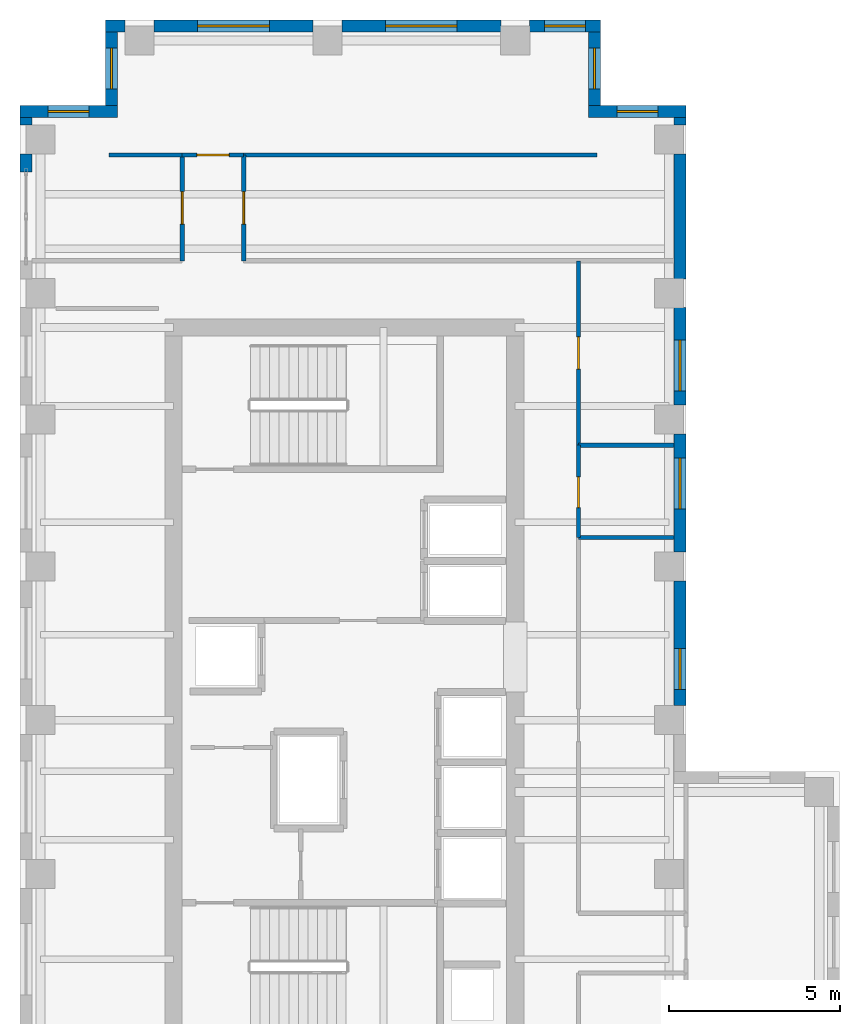
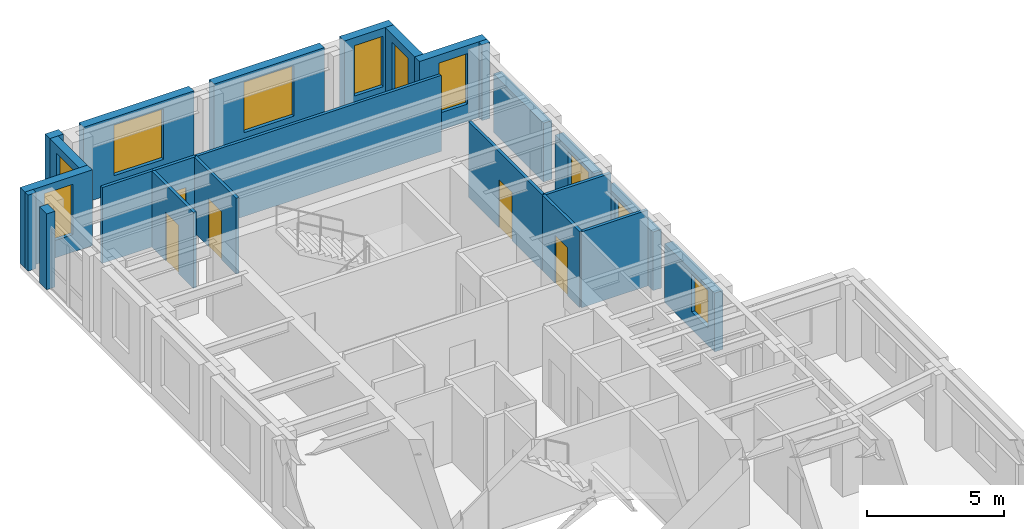
# One storey, part 8 of 10: 24 walls, 10 windows, 5 doors, 15 openings.
"""IFC4 building model written with IfcOpenShell, lengths in metres."""

from ifc_helpers import new_model, si_unit, direction, frame, frame_2d, origin, place, context, subcontext, project, spatial, rectangle, extrude, source, transform, mapped, material, layer, layer_set, type_object, element, fill, save


model = new_model("IFC4")

# Units and contexts
model_context = context("Model", 3, precision=1e-05, world=origin(), true_north=direction((0.0, 1.0)))
body_context = subcontext(model_context, "Body", "Model", "MODEL_VIEW")
ifc_project = project(units=[si_unit("LENGTHUNIT", "METRE"), si_unit("AREAUNIT", "SQUARE_METRE"), si_unit("VOLUMEUNIT", "CUBIC_METRE"), si_unit("PLANEANGLEUNIT", "RADIAN"), si_unit("MASSUNIT", "GRAM", prefix="KILO")], contexts=[model_context])

# Site, building, storey
site_placement = place(None, origin())
site = spatial("IfcSite", under=ifc_project, at=site_placement, CompositionType="ELEMENT")
building_placement = place(site_placement, origin())
building = spatial("IfcBuilding", under=site, at=building_placement, Name="Kharzan Plaza Tower", CompositionType="ELEMENT")
storey_placement = place(building_placement, frame((0.0, 0.0, 270.0)))
storey = spatial("IfcBuildingStorey", under=building, at=storey_placement, Name="L73", CompositionType="ELEMENT", Elevation=270.0)

# Wall, opening, window
ifc_material_1 = material(Name="Concrete C40/50", Category="concrete")
ifc_layer_1 = layer(ifc_material_1, 0.35009765625)
ifc_layer_set_1 = layer_set([ifc_layer_1], Name="Concrete C40/50")
wall_type_1 = type_object("IfcWallType", Name="WL-EXT-MAS-Z4", PredefinedType="SOLIDWALL", material=ifc_layer_set_1)
wall_1_placement = place(storey_placement, frame((16.824951171875, 35.998046875, 0.0), z_axis=(0.0, 0.0, 1.0), x_axis=(0.0, 1.0, 0.0)))
wall_1 = element("IfcWall", 1, at=wall_1_placement, inside=storey, type_object=wall_type_1, Name="L73 Masonry-Frame Exterior Wall 01", PredefinedType="SOLIDWALL", context=body_context, shape_type="SweptSolid", body=[
    extrude(rectangle(XDim=2.154052734375, YDim=0.35009765625, at=frame_2d((1.0771484375, 0.0))), origin(), (0.0, 0.0, 1.0), 3.385009765625),
])
opening_1_placement = place(wall_1_placement, frame((0.47705078125, 0.0, 0.780029296875)))
opening_1 = element("IfcOpeningElement", 2, at=opening_1_placement, cuts=wall_1, Name="Opening W3", PredefinedType="OPENING", context=body_context, shape_type="SweptSolid", body=[
    extrude(rectangle(XDim=1.199951171875, YDim=2.25, at=frame_2d((0.60009765625, 1.125))), frame((0.0, 0.18505859375, 0.0), z_axis=(0.0, -1.0, 0.0), x_axis=(1.0, 0.0, 0.0)), (0.0, 0.0, 1.0), 0.3701171875),
])
ifc_material_2 = material(Name="Low-E Double Glazing", Category="glass")
window_type_1 = type_object("IfcWindowType", Name="WN-REC-1200x2100", PartitioningType="SINGLE_PANEL", PredefinedType="WINDOW", material=ifc_material_2)
shared_shape_1 = source(origin(), body_context, "Body", "SweptSolid", [
    extrude(rectangle(XDim=1.199951171875, YDim=2.25, at=frame_2d((0.60009765625, 1.125))), frame((0.0, 0.030029296875, 0.0), z_axis=(0.0, -1.0, 0.0), x_axis=(1.0, 0.0, 0.0)), (0.0, 0.0, 1.0), 0.06005859375),
])
window_1_placement = place(opening_1_placement, origin())
window_1 = element("IfcWindow", 3, at=window_1_placement, inside=storey, type_object=window_type_1, Name="L73 Recessed Solar-Control Window 01-1", OverallHeight=2.25, OverallWidth=1.199951171875, PartitioningType="SINGLE_PANEL", PredefinedType="WINDOW", context=body_context, shape_type="MappedRepresentation", body=[
    mapped(shared_shape_1, transform((0.0, 0.0, 0.0), x_axis=(1.0, 0.0, 0.0), y_axis=(0.0, 1.0, 0.0), z_axis=(0.0, 0.0, 1.0))),
])
fill(opening_1, window_1)

wall_2_placement = place(storey_placement, frame((17.0, 38.324951171875, 0.0), z_axis=(0.0, 0.0, 1.0), x_axis=(-1.0, 0.0, 0.0)))
wall_2 = element("IfcWall", 4, at=wall_2_placement, inside=storey, type_object=wall_type_1, Name="L73 Masonry-Frame Exterior Wall 02", PredefinedType="SOLIDWALL", context=body_context, shape_type="SweptSolid", body=[
    extrude(rectangle(XDim=2.076904296875, YDim=0.35009765625, at=frame_2d((1.03857421875, 0.0))), origin(), (0.0, 0.0, 1.0), 3.385009765625),
])
opening_2_placement = place(wall_2_placement, frame((0.4384765625, 0.0, 0.780029296875)))
opening_2 = element("IfcOpeningElement", 5, at=opening_2_placement, cuts=wall_2, Name="Opening W3", PredefinedType="OPENING", context=body_context, shape_type="SweptSolid", body=[
    extrude(rectangle(XDim=1.199951171875, YDim=2.25, at=frame_2d((0.60009765625, 1.125))), frame((0.0, 0.18505859375, 0.0), z_axis=(0.0, -1.0, 0.0), x_axis=(1.0, 0.0, 0.0)), (0.0, 0.0, 1.0), 0.3701171875),
])
window_2_placement = place(opening_2_placement, origin())
window_2 = element("IfcWindow", 6, at=window_2_placement, inside=storey, type_object=window_type_1, Name="L73 Recessed Solar-Control Window 02-1", OverallHeight=2.25, OverallWidth=1.199951171875, PartitioningType="SINGLE_PANEL", PredefinedType="WINDOW", context=body_context, shape_type="MappedRepresentation", body=[
    mapped(shared_shape_1, transform((0.0, 0.0, 0.0), x_axis=(1.0, 0.0, 0.0), y_axis=(0.0, 1.0, 0.0), z_axis=(0.0, 0.0, 1.0))),
])
fill(opening_2, window_2)

wall_3_placement = place(storey_placement, frame((14.076904296875, 38.324951171875, 0.0), z_axis=(0.0, 0.0, 1.0), x_axis=(-1.0, 0.0, 0.0)))
wall_3 = element("IfcWall", 7, at=wall_3_placement, inside=storey, type_object=wall_type_1, Name="L73 Masonry-Frame Exterior Wall 03", PredefinedType="SOLIDWALL", context=body_context, shape_type="SweptSolid", body=[
    extrude(rectangle(XDim=4.65380859375, YDim=0.35009765625, at=frame_2d((2.326904296875, 0.0))), origin(), (0.0, 0.0, 1.0), 3.385009765625),
])
opening_3_placement = place(wall_3_placement, frame((1.277099609375, 0.0, 0.780029296875)))
opening_3 = element("IfcOpeningElement", 8, at=opening_3_placement, cuts=wall_3, Name="Opening W6", PredefinedType="OPENING", context=body_context, shape_type="SweptSolid", body=[
    extrude(rectangle(XDim=2.10009765625, YDim=2.25, at=frame_2d((1.050048828125, 1.125))), frame((0.0, 0.18505859375, 0.0), z_axis=(0.0, -1.0, 0.0), x_axis=(1.0, 0.0, 0.0)), (0.0, 0.0, 1.0), 0.3701171875),
])
window_type_2 = type_object("IfcWindowType", Name="WN-EXEC-2100x2250", PartitioningType="SINGLE_PANEL", PredefinedType="WINDOW", material=ifc_material_2)
shared_shape_2 = source(origin(), body_context, "Body", "SweptSolid", [
    extrude(rectangle(XDim=2.10009765625, YDim=2.25, at=frame_2d((1.050048828125, 1.125))), frame((0.0, 0.030029296875, 0.0), z_axis=(0.0, -1.0, 0.0), x_axis=(1.0, 0.0, 0.0)), (0.0, 0.0, 1.0), 0.06005859375),
])
window_3_placement = place(opening_3_placement, origin())
window_3 = element("IfcWindow", 9, at=window_3_placement, inside=storey, type_object=window_type_2, Name="L73 Recessed Solar-Control Window 03-1", OverallHeight=2.25, OverallWidth=2.10009765625, PartitioningType="SINGLE_PANEL", PredefinedType="WINDOW", context=body_context, shape_type="MappedRepresentation", body=[
    mapped(shared_shape_2, transform((0.0, 0.0, 0.0), x_axis=(1.0, 0.0, 0.0), y_axis=(0.0, 1.0, 0.0), z_axis=(0.0, 0.0, 1.0))),
])
fill(opening_3, window_3)

wall_4_placement = place(storey_placement, frame((8.576904296875, 38.324951171875, 0.0), z_axis=(0.0, 0.0, 1.0), x_axis=(-1.0, 0.0, 0.0)))
wall_4 = element("IfcWall", 10, at=wall_4_placement, inside=storey, type_object=wall_type_1, Name="L73 Masonry-Frame Exterior Wall 04", PredefinedType="SOLIDWALL", context=body_context, shape_type="SweptSolid", body=[
    extrude(rectangle(XDim=4.65380859375, YDim=0.35009765625, at=frame_2d((2.326904296875, 0.0))), origin(), (0.0, 0.0, 1.0), 3.385009765625),
])
opening_4_placement = place(wall_4_placement, frame((1.277099609375, 0.0, 0.780029296875)))
opening_4 = element("IfcOpeningElement", 11, at=opening_4_placement, cuts=wall_4, Name="Opening W6", PredefinedType="OPENING", context=body_context, shape_type="SweptSolid", body=[
    extrude(rectangle(XDim=2.10009765625, YDim=2.25, at=frame_2d((1.050048828125, 1.125))), frame((0.0, 0.18505859375, 0.0), z_axis=(0.0, -1.0, 0.0), x_axis=(1.0, 0.0, 0.0)), (0.0, 0.0, 1.0), 0.3701171875),
])
window_4_placement = place(opening_4_placement, origin())
window_4 = element("IfcWindow", 12, at=window_4_placement, inside=storey, type_object=window_type_2, Name="L73 Recessed Solar-Control Window 04-1", OverallHeight=2.25, OverallWidth=2.10009765625, PartitioningType="SINGLE_PANEL", PredefinedType="WINDOW", context=body_context, shape_type="MappedRepresentation", body=[
    mapped(shared_shape_2, transform((0.0, 0.0, 0.0), x_axis=(1.0, 0.0, 0.0), y_axis=(0.0, 1.0, 0.0), z_axis=(0.0, 0.0, 1.0))),
])
fill(opening_4, window_4)

wall_5_placement = place(storey_placement, frame((2.675048828125, 38.152099609375, 0.0), z_axis=(0.0, 0.0, 1.0), x_axis=(0.0, -1.0, 0.0)))
wall_5 = element("IfcWall", 13, at=wall_5_placement, inside=storey, type_object=wall_type_1, Name="L73 Masonry-Frame Exterior Wall 06", PredefinedType="SOLIDWALL", context=body_context, shape_type="SweptSolid", body=[
    extrude(rectangle(XDim=2.154052734375, YDim=0.35009765625, at=frame_2d((1.0771484375, 0.0))), origin(), (0.0, 0.0, 1.0), 3.385009765625),
])
opening_5_placement = place(wall_5_placement, frame((0.47705078125, 0.0, 0.780029296875)))
opening_5 = element("IfcOpeningElement", 14, at=opening_5_placement, cuts=wall_5, Name="Opening W3", PredefinedType="OPENING", context=body_context, shape_type="SweptSolid", body=[
    extrude(rectangle(XDim=1.199951171875, YDim=2.25, at=frame_2d((0.60009765625, 1.125))), frame((0.0, 0.18505859375, 0.0), z_axis=(0.0, -1.0, 0.0), x_axis=(1.0, 0.0, 0.0)), (0.0, 0.0, 1.0), 0.3701171875),
])
window_5_placement = place(opening_5_placement, origin())
window_5 = element("IfcWindow", 15, at=window_5_placement, inside=storey, type_object=window_type_1, Name="L73 Recessed Solar-Control Window 06-1", OverallHeight=2.25, OverallWidth=1.199951171875, PartitioningType="SINGLE_PANEL", PredefinedType="WINDOW", context=body_context, shape_type="MappedRepresentation", body=[
    mapped(shared_shape_1, transform((0.0, 0.0, 0.0), x_axis=(1.0, 0.0, 0.0), y_axis=(0.0, 1.0, 0.0), z_axis=(0.0, 0.0, 1.0))),
])
fill(opening_5, window_5)

wall_6_placement = place(storey_placement, frame((2.85009765625, 35.824951171875, 0.0), z_axis=(0.0, 0.0, 1.0), x_axis=(-1.0, 0.0, 0.0)))
wall_6 = element("IfcWall", 16, at=wall_6_placement, inside=storey, type_object=wall_type_1, Name="L73 Masonry-Frame Exterior Wall 07", PredefinedType="SOLIDWALL", context=body_context, shape_type="SweptSolid", body=[
    extrude(rectangle(XDim=2.85009765625, YDim=0.35009765625, at=frame_2d((1.425048828125, 0.0))), origin(), (0.0, 0.0, 1.0), 3.385009765625),
])
opening_6_placement = place(wall_6_placement, frame((0.824951171875, 0.0, 0.780029296875)))
opening_6 = element("IfcOpeningElement", 17, at=opening_6_placement, cuts=wall_6, Name="Opening W3", PredefinedType="OPENING", context=body_context, shape_type="SweptSolid", body=[
    extrude(rectangle(XDim=1.199951171875, YDim=2.25, at=frame_2d((0.60009765625, 1.125))), frame((0.0, 0.18505859375, 0.0), z_axis=(0.0, -1.0, 0.0), x_axis=(1.0, 0.0, 0.0)), (0.0, 0.0, 1.0), 0.3701171875),
])
window_6_placement = place(opening_6_placement, origin())
window_6 = element("IfcWindow", 18, at=window_6_placement, inside=storey, type_object=window_type_1, Name="L73 Recessed Solar-Control Window 07-1", OverallHeight=2.25, OverallWidth=1.199951171875, PartitioningType="SINGLE_PANEL", PredefinedType="WINDOW", context=body_context, shape_type="MappedRepresentation", body=[
    mapped(shared_shape_1, transform((0.0, 0.0, 0.0), x_axis=(1.0, 0.0, 0.0), y_axis=(0.0, 1.0, 0.0), z_axis=(0.0, 0.0, 1.0))),
])
fill(opening_6, window_6)

wall_7_placement = place(storey_placement, frame((19.324951171875, 18.423095703125, 0.0), z_axis=(0.0, 0.0, 1.0), x_axis=(0.0, 1.0, 0.0)))
wall_7 = element("IfcWall", 19, at=wall_7_placement, inside=storey, type_object=wall_type_1, Name="L73 Masonry-Frame Exterior Wall 29", PredefinedType="SOLIDWALL", context=body_context, shape_type="SweptSolid", body=[
    extrude(rectangle(XDim=3.65380859375, YDim=0.35009765625, at=frame_2d((1.826904296875, 0.0))), origin(), (0.0, 0.0, 1.0), 2.618896484375),
])
opening_7_placement = place(wall_7_placement, frame((0.469970703125, 0.0, 0.780029296875)))
opening_7 = element("IfcOpeningElement", 20, at=opening_7_placement, cuts=wall_7, Name="Opening W3", PredefinedType="OPENING", context=body_context, shape_type="SweptSolid", body=[
    extrude(rectangle(XDim=1.199951171875, YDim=1.658935546875, at=frame_2d((0.60009765625, 0.82958984375))), frame((0.0, 0.18505859375, 0.0), z_axis=(0.0, -1.0, 0.0), x_axis=(1.0, 0.0, 0.0)), (0.0, 0.0, 1.0), 0.3701171875),
])
shared_shape_3 = source(origin(), body_context, "Body", "SweptSolid", [
    extrude(rectangle(XDim=1.199951171875, YDim=1.658935546875, at=frame_2d((0.60009765625, 0.82958984375))), frame((0.0, 0.030029296875, 0.0), z_axis=(0.0, -1.0, 0.0), x_axis=(1.0, 0.0, 0.0)), (0.0, 0.0, 1.0), 0.06005859375),
])
window_7_placement = place(opening_7_placement, origin())
window_7 = element("IfcWindow", 21, at=window_7_placement, inside=storey, type_object=window_type_1, Name="L73 Recessed Solar-Control Window 29-1", OverallHeight=1.658935546875, OverallWidth=1.199951171875, PartitioningType="SINGLE_PANEL", PredefinedType="WINDOW", context=body_context, shape_type="MappedRepresentation", body=[
    mapped(shared_shape_3, transform((0.0, 0.0, 0.0), x_axis=(1.0, 0.0, 0.0), y_axis=(0.0, 1.0, 0.0), z_axis=(0.0, 0.0, 1.0))),
])
fill(opening_7, window_7)

wall_8_placement = place(storey_placement, frame((19.324951171875, 22.923095703125, 0.0), z_axis=(0.0, 0.0, 1.0), x_axis=(0.0, 1.0, 0.0)))
wall_8 = element("IfcWall", 22, at=wall_8_placement, inside=storey, type_object=wall_type_1, Name="L73 Masonry-Frame Exterior Wall 30", PredefinedType="SOLIDWALL", context=body_context, shape_type="SweptSolid", body=[
    extrude(rectangle(XDim=3.453857421875, YDim=0.35009765625, at=frame_2d((1.72705078125, 0.0))), origin(), (0.0, 0.0, 1.0), 2.618896484375),
])
opening_8_placement = place(wall_8_placement, frame((1.255615234375, 0.0, 0.780029296875)))
opening_8 = element("IfcOpeningElement", 23, at=opening_8_placement, cuts=wall_8, Name="Opening W5", PredefinedType="OPENING", context=body_context, shape_type="SweptSolid", body=[
    extrude(rectangle(XDim=1.5, YDim=1.658935546875, at=frame_2d((0.75, 0.82958984375))), frame((0.0, 0.18505859375, 0.0), z_axis=(0.0, -1.0, 0.0), x_axis=(1.0, 0.0, 0.0)), (0.0, 0.0, 1.0), 0.3701171875),
])
window_type_3 = type_object("IfcWindowType", Name="WN-SLT-1500x2000", PartitioningType="SINGLE_PANEL", PredefinedType="WINDOW", material=ifc_material_2)
shared_shape_4 = source(origin(), body_context, "Body", "SweptSolid", [
    extrude(rectangle(XDim=1.5, YDim=1.658935546875, at=frame_2d((0.75, 0.82958984375))), frame((0.0, 0.030029296875, 0.0), z_axis=(0.0, -1.0, 0.0), x_axis=(1.0, 0.0, 0.0)), (0.0, 0.0, 1.0), 0.06005859375),
])
window_8_placement = place(opening_8_placement, origin())
window_8 = element("IfcWindow", 24, at=window_8_placement, inside=storey, type_object=window_type_3, Name="L73 Recessed Solar-Control Window 30-1", OverallHeight=1.658935546875, OverallWidth=1.5, PartitioningType="SINGLE_PANEL", PredefinedType="WINDOW", context=body_context, shape_type="MappedRepresentation", body=[
    mapped(shared_shape_4, transform((0.0, 0.0, 0.0), x_axis=(1.0, 0.0, 0.0), y_axis=(0.0, 1.0, 0.0), z_axis=(0.0, 0.0, 1.0))),
])
fill(opening_8, window_8)

wall_9_placement = place(storey_placement, frame((19.324951171875, 27.222900390625, 0.0), z_axis=(0.0, 0.0, 1.0), x_axis=(0.0, 1.0, 0.0)))
wall_9 = element("IfcWall", 25, at=wall_9_placement, inside=storey, type_object=wall_type_1, Name="L73 Masonry-Frame Exterior Wall 31", PredefinedType="SOLIDWALL", context=body_context, shape_type="SweptSolid", body=[
    extrude(rectangle(XDim=2.85400390625, YDim=0.35009765625, at=frame_2d((1.427001953125, 0.0))), origin(), (0.0, 0.0, 1.0), 2.618896484375),
])
opening_9_placement = place(wall_9_placement, frame((0.411376953125, 0.0, 0.780029296875)))
opening_9 = element("IfcOpeningElement", 26, at=opening_9_placement, cuts=wall_9, Name="Opening W5", PredefinedType="OPENING", context=body_context, shape_type="SweptSolid", body=[
    extrude(rectangle(XDim=1.5, YDim=1.658935546875, at=frame_2d((0.75, 0.82958984375))), frame((0.0, 0.18505859375, 0.0), z_axis=(0.0, -1.0, 0.0), x_axis=(1.0, 0.0, 0.0)), (0.0, 0.0, 1.0), 0.3701171875),
])
window_9_placement = place(opening_9_placement, origin())
window_9 = element("IfcWindow", 27, at=window_9_placement, inside=storey, type_object=window_type_3, Name="L73 Recessed Solar-Control Window 31-1", OverallHeight=1.658935546875, OverallWidth=1.5, PartitioningType="SINGLE_PANEL", PredefinedType="WINDOW", context=body_context, shape_type="MappedRepresentation", body=[
    mapped(shared_shape_4, transform((0.0, 0.0, 0.0), x_axis=(1.0, 0.0, 0.0), y_axis=(0.0, 1.0, 0.0), z_axis=(0.0, 0.0, 1.0))),
])
fill(opening_9, window_9)

wall_10_placement = place(storey_placement, frame((19.5, 35.824951171875, 0.0), z_axis=(0.0, 0.0, 1.0), x_axis=(-1.0, 0.0, 0.0)))
wall_10 = element("IfcWall", 28, at=wall_10_placement, inside=storey, type_object=wall_type_1, Name="L73 Masonry-Frame Exterior Wall 34", PredefinedType="SOLIDWALL", context=body_context, shape_type="SweptSolid", body=[
    extrude(rectangle(XDim=2.85009765625, YDim=0.35009765625, at=frame_2d((1.425048828125, 0.0))), origin(), (0.0, 0.0, 1.0), 3.385009765625),
])
opening_10_placement = place(wall_10_placement, frame((0.824951171875, 0.0, 0.780029296875)))
opening_10 = element("IfcOpeningElement", 29, at=opening_10_placement, cuts=wall_10, Name="Opening W3", PredefinedType="OPENING", context=body_context, shape_type="SweptSolid", body=[
    extrude(rectangle(XDim=1.199951171875, YDim=2.25, at=frame_2d((0.60009765625, 1.125))), frame((0.0, 0.18505859375, 0.0), z_axis=(0.0, -1.0, 0.0), x_axis=(1.0, 0.0, 0.0)), (0.0, 0.0, 1.0), 0.3701171875),
])
window_10_placement = place(opening_10_placement, origin())
window_10 = element("IfcWindow", 30, at=window_10_placement, inside=storey, type_object=window_type_1, Name="L73 Recessed Solar-Control Window 34-1", OverallHeight=2.25, OverallWidth=1.199951171875, PartitioningType="SINGLE_PANEL", PredefinedType="WINDOW", context=body_context, shape_type="MappedRepresentation", body=[
    mapped(shared_shape_1, transform((0.0, 0.0, 0.0), x_axis=(1.0, 0.0, 0.0), y_axis=(0.0, 1.0, 0.0), z_axis=(0.0, 0.0, 1.0))),
])
fill(opening_10, window_10)

# Wall, opening, door
ifc_material_3 = material(Name="Fire-Rated Gypsum Board Partition", Category="gypsum")
ifc_layer_2 = layer(ifc_material_3, 0.125)
ifc_layer_set_2 = layer_set([ifc_layer_2], Name="Fire-Rated Gypsum Board Partition")
wall_type_2 = type_object("IfcWallType", Name="WL-INT-PART-125", PredefinedType="PARTITIONING", material=ifc_layer_set_2)
wall_11_placement = place(storey_placement, frame((16.35009765625, 26.050048828125, 0.0), z_axis=(0.0, 0.0, 1.0), x_axis=(0.0, 1.0, 0.0)))
wall_11 = element("IfcWall", 31, at=wall_11_placement, inside=storey, type_object=wall_type_2, Name="L73 Interior Partition SH-AEW3", PredefinedType="PARTITIONING", context=body_context, shape_type="SweptSolid", body=[
    extrude(rectangle(XDim=5.39990234375, YDim=0.125, at=frame_2d((2.699951171875, 0.0))), origin(), (0.0, 0.0, 1.0), 3.385009765625),
])
opening_11_placement = place(wall_11_placement, frame((2.22509765625, 0.0, 0.0)))
opening_11 = element("IfcOpeningElement", 32, at=opening_11_placement, cuts=wall_11, Name="Opening OD1", PredefinedType="OPENING", context=body_context, shape_type="SweptSolid", body=[
    extrude(rectangle(XDim=0.949951171875, YDim=2.14990234375, at=frame_2d((0.47509765625, 1.074951171875))), frame((0.0, 0.072509765625, 0.0), z_axis=(0.0, -1.0, 0.0), x_axis=(1.0, 0.0, 0.0)), (0.0, 0.0, 1.0), 0.14501953125),
])
ifc_material_4 = material(Name="Acoustic Solid-Core Stained Oak", Category="timber")
door_type_1 = type_object("IfcDoorType", Name="DR-OFF-SINGLE", OperationType="NOTDEFINED", PredefinedType="DOOR", material=ifc_material_4)
shared_shape_5 = source(origin(), body_context, "Body", "SweptSolid", [
    extrude(rectangle(XDim=0.949951171875, YDim=2.14990234375, at=frame_2d((0.47509765625, 1.074951171875))), frame((0.0, 0.02490234375, 0.0), z_axis=(0.0, -1.0, 0.0), x_axis=(1.0, 0.0, 0.0)), (0.0, 0.0, 1.0), 0.050048828125),
])
door_1_placement = place(opening_11_placement, origin())
door_1 = element("IfcDoor", 33, at=door_1_placement, inside=storey, type_object=door_type_1, Name="L73 Tea Pantry Door", OperationType="SINGLE_SWING_RIGHT", OverallHeight=2.14990234375, OverallWidth=0.949951171875, PredefinedType="DOOR", context=body_context, shape_type="MappedRepresentation", body=[
    mapped(shared_shape_5, transform((0.0, 0.0, 0.0), x_axis=(1.0, 0.0, 0.0), y_axis=(0.0, 1.0, 0.0), z_axis=(0.0, 0.0, 1.0))),
])
fill(opening_11, door_1)

wall_12_placement = place(storey_placement, frame((16.35009765625, 23.35009765625, 0.0), z_axis=(0.0, 0.0, 1.0), x_axis=(0.0, 1.0, 0.0)))
wall_12 = element("IfcWall", 34, at=wall_12_placement, inside=storey, type_object=wall_type_2, Name="L73 Interior Partition SH-AEWW", PredefinedType="PARTITIONING", context=body_context, shape_type="SweptSolid", body=[
    extrude(rectangle(XDim=2.699951171875, YDim=0.125, at=frame_2d((1.35009765625, 0.0))), origin(), (0.0, 0.0, 1.0), 3.385009765625),
])
opening_12_placement = place(wall_12_placement, frame((0.875, 0.0, 0.0)))
opening_12 = element("IfcOpeningElement", 35, at=opening_12_placement, cuts=wall_12, Name="Opening WD1", PredefinedType="OPENING", context=body_context, shape_type="SweptSolid", body=[
    extrude(rectangle(XDim=0.89990234375, YDim=2.14990234375, at=frame_2d((0.449951171875, 1.074951171875))), frame((0.0, 0.072509765625, 0.0), z_axis=(0.0, -1.0, 0.0), x_axis=(1.0, 0.0, 0.0)), (0.0, 0.0, 1.0), 0.14501953125),
])
ifc_material_5 = material(Name="Moisture-Resistant Fire-Rated Laminate", Category="timber")
door_type_2 = type_object("IfcDoorType", Name="DR-WC-900", OperationType="NOTDEFINED", PredefinedType="DOOR", material=ifc_material_5)
shared_shape_6 = source(origin(), body_context, "Body", "SweptSolid", [
    extrude(rectangle(XDim=0.89990234375, YDim=2.14990234375, at=frame_2d((0.449951171875, 1.074951171875))), frame((0.0, 0.02490234375, 0.0), z_axis=(0.0, -1.0, 0.0), x_axis=(1.0, 0.0, 0.0)), (0.0, 0.0, 1.0), 0.050048828125),
])
door_2_placement = place(opening_12_placement, origin())
door_2 = element("IfcDoor", 36, at=door_2_placement, inside=storey, type_object=door_type_2, Name="L73 Washroom Door", OperationType="SINGLE_SWING_LEFT", OverallHeight=2.14990234375, OverallWidth=0.89990234375, PredefinedType="DOOR", context=body_context, shape_type="MappedRepresentation", body=[
    mapped(shared_shape_6, transform((0.0, 0.0, 0.0), x_axis=(1.0, 0.0, 0.0), y_axis=(0.0, 1.0, 0.0), z_axis=(0.0, 0.0, 1.0))),
])
fill(opening_12, door_2)

wall_13_placement = place(storey_placement, frame((6.550048828125, 31.449951171875, 0.0), z_axis=(0.0, 0.0, 1.0), x_axis=(0.0, 1.0, 0.0)))
wall_13 = element("IfcWall", 37, at=wall_13_placement, inside=storey, type_object=wall_type_2, Name="L73 Interior Partition SH-SPE-1", PredefinedType="PARTITIONING", context=body_context, shape_type="SweptSolid", body=[
    extrude(rectangle(XDim=3.10009765625, YDim=0.125, at=frame_2d((1.550048828125, 0.0))), origin(), (0.0, 0.0, 1.0), 3.385009765625),
])
opening_13_placement = place(wall_13_placement, frame((1.074951171875, 0.0, 0.0)))
opening_13 = element("IfcOpeningElement", 38, at=opening_13_placement, cuts=wall_13, Name="Opening OD1", PredefinedType="OPENING", context=body_context, shape_type="SweptSolid", body=[
    extrude(rectangle(XDim=0.949951171875, YDim=2.14990234375, at=frame_2d((0.47509765625, 1.074951171875))), frame((0.0, 0.072509765625, 0.0), z_axis=(0.0, -1.0, 0.0), x_axis=(1.0, 0.0, 0.0)), (0.0, 0.0, 1.0), 0.14501953125),
])
door_3_placement = place(opening_13_placement, origin())
door_3 = element("IfcDoor", 39, at=door_3_placement, inside=storey, type_object=door_type_1, Name="L73 Client Advisory Meeting Room Door", OperationType="SINGLE_SWING_RIGHT", OverallHeight=2.14990234375, OverallWidth=0.949951171875, PredefinedType="DOOR", context=body_context, shape_type="MappedRepresentation", body=[
    mapped(shared_shape_5, transform((0.0, 0.0, 0.0), x_axis=(1.0, 0.0, 0.0), y_axis=(0.0, 1.0, 0.0), z_axis=(0.0, 0.0, 1.0))),
])
fill(opening_13, door_3)

wall_14_placement = place(storey_placement, frame((4.75, 34.550048828125, 0.0), z_axis=(0.0, 0.0, 1.0), x_axis=(1.0, 0.0, 0.0)))
wall_14 = element("IfcWall", 40, at=wall_14_placement, inside=storey, type_object=wall_type_2, Name="L73 Interior Partition SH-SPHD", PredefinedType="PARTITIONING", context=body_context, shape_type="SweptSolid", body=[
    extrude(rectangle(XDim=1.800048828125, YDim=0.125, at=frame_2d((0.89990234375, 0.0))), origin(), (0.0, 0.0, 1.0), 3.385009765625),
])
opening_14_placement = place(wall_14_placement, frame((0.425048828125, 0.0, 0.0)))
opening_14 = element("IfcOpeningElement", 41, at=opening_14_placement, cuts=wall_14, Name="Opening OD1", PredefinedType="OPENING", context=body_context, shape_type="SweptSolid", body=[
    extrude(rectangle(XDim=0.949951171875, YDim=2.14990234375, at=frame_2d((0.47509765625, 1.074951171875))), frame((0.0, 0.072509765625, 0.0), z_axis=(0.0, -1.0, 0.0), x_axis=(1.0, 0.0, 0.0)), (0.0, 0.0, 1.0), 0.14501953125),
])
door_4_placement = place(opening_14_placement, origin())
door_4 = element("IfcDoor", 42, at=door_4_placement, inside=storey, type_object=door_type_1, Name="L73 North Boardroom Door", OperationType="SINGLE_SWING_LEFT", OverallHeight=2.14990234375, OverallWidth=0.949951171875, PredefinedType="DOOR", context=body_context, shape_type="MappedRepresentation", body=[
    mapped(shared_shape_5, transform((0.0, 0.0, 0.0), x_axis=(1.0, 0.0, 0.0), y_axis=(0.0, 1.0, 0.0), z_axis=(0.0, 0.0, 1.0))),
])
fill(opening_14, door_4)

wall_15_placement = place(storey_placement, frame((4.75, 31.449951171875, 0.0), z_axis=(0.0, 0.0, 1.0), x_axis=(0.0, 1.0, 0.0)))
wall_15 = element("IfcWall", 43, at=wall_15_placement, inside=storey, type_object=wall_type_2, Name="L73 Interior Partition SH-SPW-1", PredefinedType="PARTITIONING", context=body_context, shape_type="SweptSolid", body=[
    extrude(rectangle(XDim=3.10009765625, YDim=0.125, at=frame_2d((1.550048828125, 0.0))), origin(), (0.0, 0.0, 1.0), 3.385009765625),
])
opening_15_placement = place(wall_15_placement, frame((1.074951171875, 0.0, 0.0)))
opening_15 = element("IfcOpeningElement", 44, at=opening_15_placement, cuts=wall_15, Name="Opening OD1", PredefinedType="OPENING", context=body_context, shape_type="SweptSolid", body=[
    extrude(rectangle(XDim=0.949951171875, YDim=2.14990234375, at=frame_2d((0.47509765625, 1.074951171875))), frame((0.0, 0.072509765625, 0.0), z_axis=(0.0, -1.0, 0.0), x_axis=(1.0, 0.0, 0.0)), (0.0, 0.0, 1.0), 0.14501953125),
])
door_5_placement = place(opening_15_placement, origin())
door_5 = element("IfcDoor", 45, at=door_5_placement, inside=storey, type_object=door_type_1, Name="L73 Hospitality Tea Pantry Door", OperationType="SINGLE_SWING_LEFT", OverallHeight=2.14990234375, OverallWidth=0.949951171875, PredefinedType="DOOR", context=body_context, shape_type="MappedRepresentation", body=[
    mapped(shared_shape_5, transform((0.0, 0.0, 0.0), x_axis=(1.0, 0.0, 0.0), y_axis=(0.0, 1.0, 0.0), z_axis=(0.0, 0.0, 1.0))),
])
fill(opening_15, door_5)

# Walls
shared_shape_7 = source(origin(), body_context, "Body", "SweptSolid", [
    extrude(rectangle(XDim=2.7978515625, YDim=0.125, at=frame_2d((1.39892578125, 0.0))), origin(), (0.0, 0.0, 1.0), 3.385009765625),
])
for number, where, z_axis, x_axis, name in (
    (46, (16.35009765625, 23.35009765625, 0.0), (0.0, 0.0, 1.0), (1.0, 0.0, 0.0), "L73 Interior Partition SH-AEH-233"),
    (47, (16.35009765625, 26.050048828125, 0.0), (0.0, 0.0, 1.0), (1.0, 0.0, 0.0), "L73 Interior Partition SH-AEH-260"),
):
    element("IfcWall", number, at=place(storey_placement, frame(where, z_axis=z_axis, x_axis=x_axis)), inside=storey, type_object=wall_type_2, Name=name, PredefinedType="PARTITIONING", context=body_context, shape_type="MappedRepresentation", body=[
        mapped(shared_shape_7, transform((0.0, 0.0, 0.0), x_axis=(1.0, 0.0, 0.0), y_axis=(0.0, 1.0, 0.0), z_axis=(0.0, 0.0, 1.0))),
    ])
shared_shape_8 = source(origin(), body_context, "Body", "SweptSolid", [
    extrude(rectangle(XDim=0.576904296875, YDim=0.35009765625, at=frame_2d((0.28857421875, 0.0))), origin(), (0.0, 0.0, 1.0), 3.385009765625),
])
wall_16_placement = place(storey_placement, frame((3.076904296875, 38.324951171875, 0.0), z_axis=(0.0, 0.0, 1.0), x_axis=(-1.0, 0.0, 0.0)))
element("IfcWall", 48, at=wall_16_placement, inside=storey, type_object=wall_type_1, Name="L73 Masonry-Frame Exterior Wall 05", PredefinedType="SOLIDWALL", context=body_context, shape_type="MappedRepresentation", body=[
    mapped(shared_shape_8, transform((0.0, 0.0, 0.0), x_axis=(1.0, 0.0, 0.0), y_axis=(0.0, 1.0, 0.0), z_axis=(0.0, 0.0, 1.0))),
])
shared_shape_9 = source(origin(), body_context, "Body", "SweptSolid", [
    extrude(rectangle(XDim=0.22900390625, YDim=0.35009765625, at=frame_2d((0.114501953125, 0.0))), origin(), (0.0, 0.0, 1.0), 3.385009765625),
])
for number, where, z_axis, x_axis, name in (
    (49, (0.175048828125, 35.652099609375, 0.0), (0.0, 0.0, 1.0), (0.0, -1.0, 0.0), "L73 Masonry-Frame Exterior Wall 08"),
    (50, (19.324951171875, 35.423095703125, 0.0), (0.0, 0.0, 1.0), (0.0, 1.0, 0.0), "L73 Masonry-Frame Exterior Wall 33"),
):
    element("IfcWall", number, at=place(storey_placement, frame(where, z_axis=z_axis, x_axis=x_axis)), inside=storey, type_object=wall_type_1, Name=name, PredefinedType="SOLIDWALL", context=body_context, shape_type="MappedRepresentation", body=[
        mapped(shared_shape_9, transform((0.0, 0.0, 0.0), x_axis=(1.0, 0.0, 0.0), y_axis=(0.0, 1.0, 0.0), z_axis=(0.0, 0.0, 1.0))),
    ])
shared_shape_10 = source(origin(), body_context, "Body", "SweptSolid", [
    extrude(rectangle(XDim=0.52685546875, YDim=0.35009765625, at=frame_2d((0.263427734375, 0.0))), origin(), (0.0, 0.0, 1.0), 3.385009765625),
])
wall_17_placement = place(storey_placement, frame((0.175048828125, 34.576904296875, 0.0), z_axis=(0.0, 0.0, 1.0), x_axis=(0.0, -1.0, 0.0)))
element("IfcWall", 51, at=wall_17_placement, inside=storey, type_object=wall_type_1, Name="L73 Masonry-Frame Exterior Wall 09", PredefinedType="SOLIDWALL", context=body_context, shape_type="MappedRepresentation", body=[
    mapped(shared_shape_10, transform((0.0, 0.0, 0.0), x_axis=(1.0, 0.0, 0.0), y_axis=(0.0, 1.0, 0.0), z_axis=(0.0, 0.0, 1.0))),
])
shared_shape_11 = source(origin(), body_context, "Body", "SweptSolid", [
    extrude(rectangle(XDim=3.65380859375, YDim=0.35009765625, at=frame_2d((1.826904296875, 0.0))), origin(), (0.0, 0.0, 1.0), 2.618896484375),
])
wall_18_placement = place(storey_placement, frame((19.324951171875, 30.923095703125, 0.0), z_axis=(0.0, 0.0, 1.0), x_axis=(0.0, 1.0, 0.0)))
element("IfcWall", 52, at=wall_18_placement, inside=storey, type_object=wall_type_1, Name="L73 Masonry-Frame Exterior Wall 32", PredefinedType="SOLIDWALL", context=body_context, shape_type="MappedRepresentation", body=[
    mapped(shared_shape_11, transform((0.0, 0.0, 0.0), x_axis=(1.0, 0.0, 0.0), y_axis=(0.0, 1.0, 0.0), z_axis=(0.0, 0.0, 1.0))),
])
shared_shape_12 = source(origin(), body_context, "Body", "SweptSolid", [
    extrude(rectangle(XDim=10.349853515625, YDim=0.125, at=frame_2d((5.1748046875, 0.0))), origin(), (0.0, 0.0, 1.0), 3.385009765625),
])
wall_19_placement = place(storey_placement, frame((6.550048828125, 34.550048828125, 0.0), z_axis=(0.0, 0.0, 1.0), x_axis=(1.0, 0.0, 0.0)))
element("IfcWall", 53, at=wall_19_placement, inside=storey, type_object=wall_type_2, Name="L73 Interior Partition SH-SPHE", PredefinedType="PARTITIONING", context=body_context, shape_type="MappedRepresentation", body=[
    mapped(shared_shape_12, transform((0.0, 0.0, 0.0), x_axis=(1.0, 0.0, 0.0), y_axis=(0.0, 1.0, 0.0), z_axis=(0.0, 0.0, 1.0))),
])
shared_shape_13 = source(origin(), body_context, "Body", "SweptSolid", [
    extrude(rectangle(XDim=2.14990234375, YDim=0.125, at=frame_2d((1.074951171875, 0.0))), origin(), (0.0, 0.0, 1.0), 3.385009765625),
])
wall_20_placement = place(storey_placement, frame((2.60009765625, 34.550048828125, 0.0), z_axis=(0.0, 0.0, 1.0), x_axis=(1.0, 0.0, 0.0)))
element("IfcWall", 54, at=wall_20_placement, inside=storey, type_object=wall_type_2, Name="L73 Interior Partition SH-SPHW", PredefinedType="PARTITIONING", context=body_context, shape_type="MappedRepresentation", body=[
    mapped(shared_shape_13, transform((0.0, 0.0, 0.0), x_axis=(1.0, 0.0, 0.0), y_axis=(0.0, 1.0, 0.0), z_axis=(0.0, 0.0, 1.0))),
])

save(model, "model.ifc")
